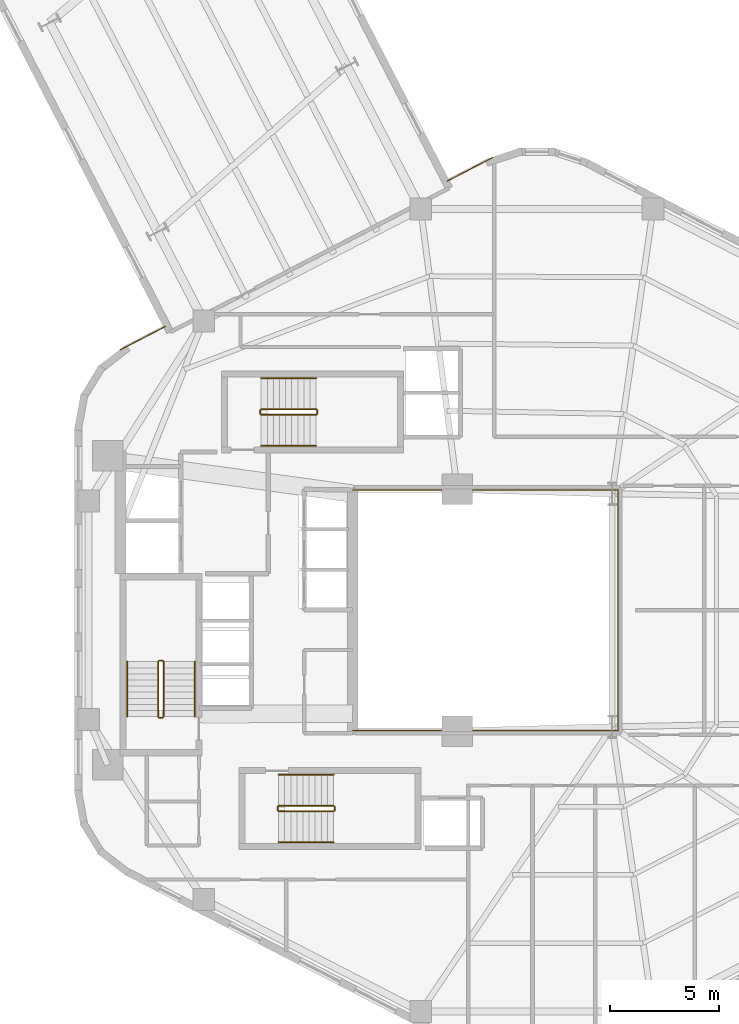
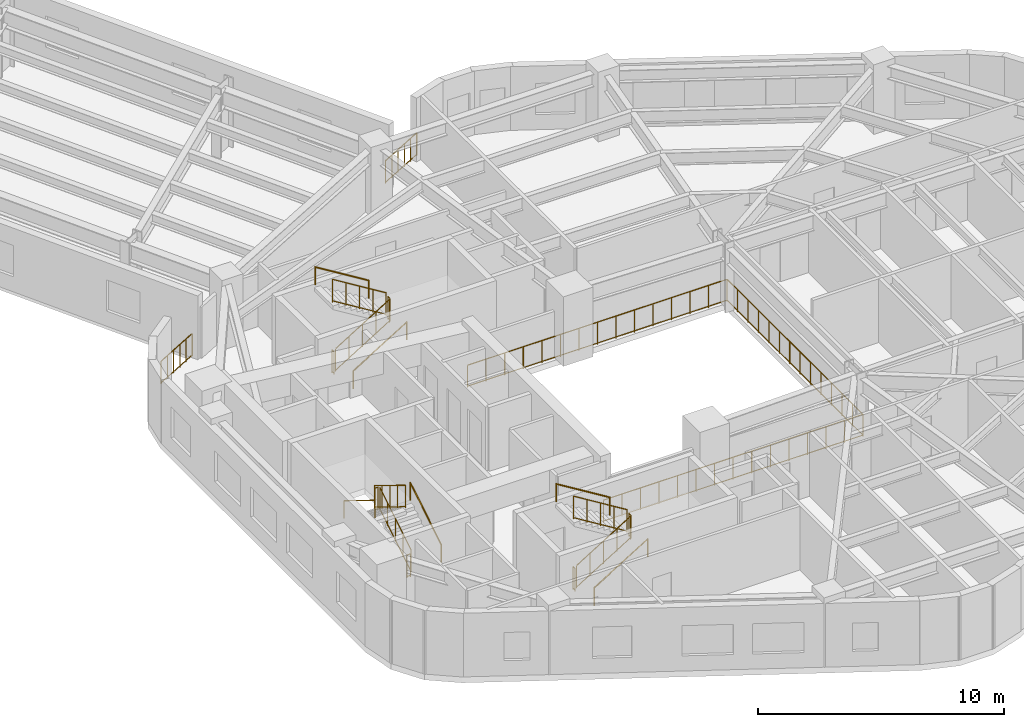
# One storey, part 11 of 11: 21 railings.
"""IFC4 building model written with IfcOpenShell, lengths in metres."""

from ifc_helpers import new_model, si_unit, direction, frame, origin, origin_2d, place, context, subcontext, project, spatial, circle, extrude, material, type_object, element, save


model = new_model("IFC4")

# Units and contexts
model_context = context("Model", 3, precision=1e-05, world=origin(), true_north=direction((0.0, 1.0)))
body_context = subcontext(model_context, "Body", "Model", "MODEL_VIEW")
ifc_project = project(units=[si_unit("LENGTHUNIT", "METRE"), si_unit("AREAUNIT", "SQUARE_METRE"), si_unit("VOLUMEUNIT", "CUBIC_METRE"), si_unit("PLANEANGLEUNIT", "RADIAN"), si_unit("MASSUNIT", "GRAM", prefix="KILO"), si_unit("THERMODYNAMICTEMPERATUREUNIT", "KELVIN"), si_unit("POWERUNIT", "WATT")], contexts=[model_context])

# Site, building, storey
site_placement = place(None, origin())
site = spatial("IfcSite", under=ifc_project, at=site_placement, CompositionType="ELEMENT")
building_placement = place(site_placement, origin())
building = spatial("IfcBuilding", under=site, at=building_placement, Name="Skarre Station Tower", CompositionType="ELEMENT")
storey_placement = place(building_placement, frame((0.0, 0.0, 139.5)))
storey = spatial("IfcBuildingStorey", under=building, at=storey_placement, Name="L37", CompositionType="ELEMENT", Elevation=139.5)

# Railings
ifc_material_1 = material(Name="Bronze Anodized Steel & Laminated Glass Balustrade", Category="steel")
railing_type_1 = type_object("IfcRailingType", Name="Atrium Void & Mezzanine Guard Balustrade 1120", PredefinedType="GUARDRAIL", material=ifc_material_1)
railing_1_placement = place(storey_placement, frame((27.550048828125, 18.47998046875, 0.0)))
element("IfcRailing", 1, at=railing_1_placement, inside=storey, type_object=railing_type_1, Name="L37 Atrium Void Guard Balustrade", PredefinedType="GUARDRAIL", context=body_context, shape_type="SweptSolid", body=[
    extrude(circle(Radius=0.02392578125, at=origin_2d()), frame((0.0, 0.0, 1.09619140625), z_axis=(1.0, 0.0, 0.0), x_axis=(0.0, 1.0, 0.0)), (0.0, 0.0, 1.0), 12.169921875),
    extrude(circle(Radius=0.02099609375, at=origin_2d()), frame((0.0, 0.0, 0.06005859375), z_axis=(1.0, 0.0, 0.0), x_axis=(0.0, 1.0, 0.0)), (0.0, 0.0, 1.0), 12.169921875),
    extrude(circle(Radius=0.02392578125, at=origin_2d()), frame((12.169921875, 0.0, 1.09619140625), z_axis=(0.0, 1.0, 0.0), x_axis=(-1.0, 0.0, 0.0)), (0.0, 0.0, 1.0), 11.0400390625),
    extrude(circle(Radius=0.02099609375, at=origin_2d()), frame((12.169921875, 0.0, 0.06005859375), z_axis=(0.0, 1.0, 0.0), x_axis=(-1.0, 0.0, 0.0)), (0.0, 0.0, 1.0), 11.0400390625),
    extrude(circle(Radius=0.02392578125, at=origin_2d()), frame((12.169921875, 11.0400390625, 1.09619140625), z_axis=(-1.0, 0.0, 0.0), x_axis=(0.0, -1.0, 0.0)), (0.0, 0.0, 1.0), 12.169921875),
    extrude(circle(Radius=0.02099609375, at=origin_2d()), frame((12.169921875, 11.0400390625, 0.06005859375), z_axis=(-1.0, 0.0, 0.0), x_axis=(0.0, -1.0, 0.0)), (0.0, 0.0, 1.0), 12.169921875),
    extrude(circle(Radius=0.02099609375, at=origin_2d()), origin(), (0.0, 0.0, 1.0), 1.072021484375),
    extrude(circle(Radius=0.02099609375, at=origin_2d()), frame((0.869384765625, 0.0, 0.0)), (0.0, 0.0, 1.0), 1.072021484375),
    extrude(circle(Radius=0.02099609375, at=origin_2d()), frame((1.738525390625, 0.0, 0.0)), (0.0, 0.0, 1.0), 1.072021484375),
    extrude(circle(Radius=0.02099609375, at=origin_2d()), frame((2.60791015625, 0.0, 0.0)), (0.0, 0.0, 1.0), 1.072021484375),
    extrude(circle(Radius=0.02099609375, at=origin_2d()), frame((3.47705078125, 0.0, 0.0)), (0.0, 0.0, 1.0), 1.072021484375),
    extrude(circle(Radius=0.02099609375, at=origin_2d()), frame((4.346435546875, 0.0, 0.0)), (0.0, 0.0, 1.0), 1.072021484375),
    extrude(circle(Radius=0.02099609375, at=origin_2d()), frame((5.215576171875, 0.0, 0.0)), (0.0, 0.0, 1.0), 1.072021484375),
    extrude(circle(Radius=0.02099609375, at=origin_2d()), frame((6.0849609375, 0.0, 0.0)), (0.0, 0.0, 1.0), 1.072021484375),
    extrude(circle(Radius=0.02099609375, at=origin_2d()), frame((6.954345703125, 0.0, 0.0)), (0.0, 0.0, 1.0), 1.072021484375),
    extrude(circle(Radius=0.02099609375, at=origin_2d()), frame((7.823486328125, 0.0, 0.0)), (0.0, 0.0, 1.0), 1.072021484375),
    extrude(circle(Radius=0.02099609375, at=origin_2d()), frame((8.69287109375, 0.0, 0.0)), (0.0, 0.0, 1.0), 1.072021484375),
    extrude(circle(Radius=0.02099609375, at=origin_2d()), frame((9.56201171875, 0.0, 0.0)), (0.0, 0.0, 1.0), 1.072021484375),
    extrude(circle(Radius=0.02099609375, at=origin_2d()), frame((10.431396484375, 0.0, 0.0)), (0.0, 0.0, 1.0), 1.072021484375),
    extrude(circle(Radius=0.02099609375, at=origin_2d()), frame((11.300537109375, 0.0, 0.0)), (0.0, 0.0, 1.0), 1.072021484375),
    extrude(circle(Radius=0.02099609375, at=origin_2d()), frame((12.169921875, 0.0, 0.0)), (0.0, 0.0, 1.0), 1.072021484375),
    extrude(circle(Radius=0.02099609375, at=origin_2d()), frame((12.169921875, 0.84912109375, 0.0)), (0.0, 0.0, 1.0), 1.072021484375),
    extrude(circle(Radius=0.02099609375, at=origin_2d()), frame((12.169921875, 1.698486328125, 0.0)), (0.0, 0.0, 1.0), 1.072021484375),
    extrude(circle(Radius=0.02099609375, at=origin_2d()), frame((12.169921875, 2.547607421875, 0.0)), (0.0, 0.0, 1.0), 1.072021484375),
    extrude(circle(Radius=0.02099609375, at=origin_2d()), frame((12.169921875, 3.39697265625, 0.0)), (0.0, 0.0, 1.0), 1.072021484375),
    extrude(circle(Radius=0.02099609375, at=origin_2d()), frame((12.169921875, 4.24609375, 0.0)), (0.0, 0.0, 1.0), 1.072021484375),
    extrude(circle(Radius=0.02099609375, at=origin_2d()), frame((12.169921875, 5.095458984375, 0.0)), (0.0, 0.0, 1.0), 1.072021484375),
    extrude(circle(Radius=0.02099609375, at=origin_2d()), frame((12.169921875, 5.944580078125, 0.0)), (0.0, 0.0, 1.0), 1.072021484375),
    extrude(circle(Radius=0.02099609375, at=origin_2d()), frame((12.169921875, 6.7939453125, 0.0)), (0.0, 0.0, 1.0), 1.072021484375),
    extrude(circle(Radius=0.02099609375, at=origin_2d()), frame((12.169921875, 7.64306640625, 0.0)), (0.0, 0.0, 1.0), 1.072021484375),
    extrude(circle(Radius=0.02099609375, at=origin_2d()), frame((12.169921875, 8.492431640625, 0.0)), (0.0, 0.0, 1.0), 1.072021484375),
    extrude(circle(Radius=0.02099609375, at=origin_2d()), frame((12.169921875, 9.341552734375, 0.0)), (0.0, 0.0, 1.0), 1.072021484375),
    extrude(circle(Radius=0.02099609375, at=origin_2d()), frame((12.169921875, 10.19091796875, 0.0)), (0.0, 0.0, 1.0), 1.072021484375),
    extrude(circle(Radius=0.02099609375, at=origin_2d()), frame((12.169921875, 11.0400390625, 0.0)), (0.0, 0.0, 1.0), 1.072021484375),
    extrude(circle(Radius=0.02099609375, at=origin_2d()), frame((11.300537109375, 11.0400390625, 0.0)), (0.0, 0.0, 1.0), 1.072021484375),
    extrude(circle(Radius=0.02099609375, at=origin_2d()), frame((10.431396484375, 11.0400390625, 0.0)), (0.0, 0.0, 1.0), 1.072021484375),
    extrude(circle(Radius=0.02099609375, at=origin_2d()), frame((9.56201171875, 11.0400390625, 0.0)), (0.0, 0.0, 1.0), 1.072021484375),
    extrude(circle(Radius=0.02099609375, at=origin_2d()), frame((8.69287109375, 11.0400390625, 0.0)), (0.0, 0.0, 1.0), 1.072021484375),
    extrude(circle(Radius=0.02099609375, at=origin_2d()), frame((7.823486328125, 11.0400390625, 0.0)), (0.0, 0.0, 1.0), 1.072021484375),
    extrude(circle(Radius=0.02099609375, at=origin_2d()), frame((6.954345703125, 11.0400390625, 0.0)), (0.0, 0.0, 1.0), 1.072021484375),
    extrude(circle(Radius=0.02099609375, at=origin_2d()), frame((6.0849609375, 11.0400390625, 0.0)), (0.0, 0.0, 1.0), 1.072021484375),
    extrude(circle(Radius=0.02099609375, at=origin_2d()), frame((5.215576171875, 11.0400390625, 0.0)), (0.0, 0.0, 1.0), 1.072021484375),
    extrude(circle(Radius=0.02099609375, at=origin_2d()), frame((4.346435546875, 11.0400390625, 0.0)), (0.0, 0.0, 1.0), 1.072021484375),
    extrude(circle(Radius=0.02099609375, at=origin_2d()), frame((3.47705078125, 11.0400390625, 0.0)), (0.0, 0.0, 1.0), 1.072021484375),
    extrude(circle(Radius=0.02099609375, at=origin_2d()), frame((2.60791015625, 11.0400390625, 0.0)), (0.0, 0.0, 1.0), 1.072021484375),
    extrude(circle(Radius=0.02099609375, at=origin_2d()), frame((1.738525390625, 11.0400390625, 0.0)), (0.0, 0.0, 1.0), 1.072021484375),
    extrude(circle(Radius=0.02099609375, at=origin_2d()), frame((0.869384765625, 11.0400390625, 0.0)), (0.0, 0.0, 1.0), 1.072021484375),
    extrude(circle(Radius=0.02099609375, at=origin_2d()), frame((0.0, 11.0400390625, 0.0)), (0.0, 0.0, 1.0), 1.072021484375),
])
ifc_material_2 = material(Name="Stainless Steel Grade 316L & Laminated Safety Glass", Category="steel")
railing_type_2 = type_object("IfcRailingType", Name="Laminated Glass & Stainless Terrace Guardrail 1150", PredefinedType="BALUSTRADE", material=ifc_material_2)
railing_2_placement = place(storey_placement, frame((16.87890625, 35.952880859375, 0.0)))
element("IfcRailing", 2, at=railing_2_placement, inside=storey, type_object=railing_type_2, Name="L37 SB-3 Shoulder Ledge Guardrail 1", PredefinedType="BALUSTRADE", context=body_context, shape_type="SweptSolid", body=[
    extrude(circle(Radius=0.02392578125, at=origin_2d()), frame((0.0, 0.0, 1.1259765625), z_axis=(0.888522104904, 0.458833814248, 0.0), x_axis=(-0.458833814248, 0.888522104904, 0.0)), (0.0, 0.0, 1.0), 2.345458984375),
    extrude(circle(Radius=0.02099609375, at=origin_2d()), frame((0.0, 0.0, 0.06005859375), z_axis=(0.888522104904, 0.458833814248, 0.0), x_axis=(-0.458833814248, 0.888522104904, 0.0)), (0.0, 0.0, 1.0), 2.345458984375),
    extrude(circle(Radius=0.02099609375, at=origin_2d()), origin(), (0.0, 0.0, 1.0), 1.101806640625),
    extrude(circle(Radius=0.02099609375, at=origin_2d()), frame((0.416748046875, 0.21533203125, 0.0)), (0.0, 0.0, 1.0), 1.101806640625),
    extrude(circle(Radius=0.02099609375, at=origin_2d()), frame((0.83349609375, 0.430419921875, 0.0)), (0.0, 0.0, 1.0), 1.101806640625),
    extrude(circle(Radius=0.02099609375, at=origin_2d()), frame((1.25048828125, 0.645751953125, 0.0)), (0.0, 0.0, 1.0), 1.101806640625),
    extrude(circle(Radius=0.02099609375, at=origin_2d()), frame((1.667236328125, 0.86083984375, 0.0)), (0.0, 0.0, 1.0), 1.101806640625),
    extrude(circle(Radius=0.02099609375, at=origin_2d()), frame((2.083984375, 1.076171875, 0.0)), (0.0, 0.0, 1.0), 1.101806640625),
])
railing_3_placement = place(storey_placement, frame((31.883056640625, 43.697021484375, 0.0)))
element("IfcRailing", 3, at=railing_3_placement, inside=storey, type_object=railing_type_2, Name="L37 SB-3 Shoulder Ledge Guardrail 2", PredefinedType="BALUSTRADE", context=body_context, shape_type="SweptSolid", body=[
    extrude(circle(Radius=0.02392578125, at=origin_2d()), frame((0.0, 0.0, 1.1259765625), z_axis=(0.888564539427, 0.458751631356, 0.0), x_axis=(-0.458751631356, 0.888564539427, 0.0)), (0.0, 0.0, 1.0), 2.345458984375),
    extrude(circle(Radius=0.02099609375, at=origin_2d()), frame((0.0, 0.0, 0.06005859375), z_axis=(0.888564539427, 0.458751631356, 0.0), x_axis=(-0.458751631356, 0.888564539427, 0.0)), (0.0, 0.0, 1.0), 2.345458984375),
    extrude(circle(Radius=0.02099609375, at=origin_2d()), origin(), (0.0, 0.0, 1.0), 1.101806640625),
    extrude(circle(Radius=0.02099609375, at=origin_2d()), frame((0.416748046875, 0.215087890625, 0.0)), (0.0, 0.0, 1.0), 1.101806640625),
    extrude(circle(Radius=0.02099609375, at=origin_2d()), frame((0.83349609375, 0.430419921875, 0.0)), (0.0, 0.0, 1.0), 1.101806640625),
    extrude(circle(Radius=0.02099609375, at=origin_2d()), frame((1.25048828125, 0.6455078125, 0.0)), (0.0, 0.0, 1.0), 1.101806640625),
    extrude(circle(Radius=0.02099609375, at=origin_2d()), frame((1.667236328125, 0.86083984375, 0.0)), (0.0, 0.0, 1.0), 1.101806640625),
    extrude(circle(Radius=0.02099609375, at=origin_2d()), frame((2.083984375, 1.075927734375, 0.0)), (0.0, 0.0, 1.0), 1.101806640625),
])
ifc_material_3 = material(Name="Powder-Coated Tubular Steel", Category="steel")
railing_type_3 = type_object("IfcRailingType", Name="Painted Steel Ramp & Stair Handrail 920", PredefinedType="HANDRAIL", material=ifc_material_3)
railing_4_placement = place(storey_placement, frame((20.300048828125, 19.1201171875, 0.172607421875)))
element("IfcRailing", 4, at=railing_4_placement, inside=storey, type_object=railing_type_3, Name="L37 ST-1 stair handrail 1", PredefinedType="HANDRAIL", context=body_context, shape_type="SweptSolid", body=[
    extrude(circle(Radius=0.02392578125, at=origin_2d()), frame((0.0, 0.0, 0.8759765625), z_axis=(0.0, 0.851377800117, 0.52455299205), x_axis=(-1.0, 0.0, 0.0)), (0.0, 0.0, 1.0), 2.959716796875),
    extrude(circle(Radius=0.02099609375, at=origin_2d()), origin(), (0.0, 0.0, 1.0), 0.851806640625),
    extrude(circle(Radius=0.02099609375, at=origin_2d()), frame((0.0, 2.519775390625, 1.552490234375)), (0.0, 0.0, 1.0), 0.851806640625),
])
railing_5_placement = place(storey_placement, frame((17.199951171875, 21.639892578125, 1.8974609375)))
element("IfcRailing", 5, at=railing_5_placement, inside=storey, type_object=railing_type_3, Name="L37 ST-1 stair handrail 2", PredefinedType="HANDRAIL", context=body_context, shape_type="SweptSolid", body=[
    extrude(circle(Radius=0.02392578125, at=origin_2d()), frame((0.0, 0.0, 0.8759765625), z_axis=(0.0, -0.851377800117, 0.52455299205), x_axis=(1.0, 0.0, 0.0)), (0.0, 0.0, 1.0), 2.959716796875),
    extrude(circle(Radius=0.02099609375, at=origin_2d()), origin(), (0.0, 0.0, 1.0), 0.851806640625),
    extrude(circle(Radius=0.02099609375, at=origin_2d()), frame((0.0, -2.519775390625, 1.552490234375)), (0.0, 0.0, 1.0), 0.851806640625),
])
railing_6_placement = place(storey_placement, frame((24.14990234375, 13.35009765625, 0.172607421875)))
element("IfcRailing", 6, at=railing_6_placement, inside=storey, type_object=railing_type_3, Name="L37 ST-2 stair handrail 1", PredefinedType="HANDRAIL", context=body_context, shape_type="SweptSolid", body=[
    extrude(circle(Radius=0.02392578125, at=origin_2d()), frame((0.0, 0.0, 0.8759765625), z_axis=(0.851400495292, 0.0, 0.524516154772), x_axis=(0.0, 1.0, 0.0)), (0.0, 0.0, 1.0), 2.9599609375),
    extrude(circle(Radius=0.02099609375, at=origin_2d()), origin(), (0.0, 0.0, 1.0), 0.851806640625),
    extrude(circle(Radius=0.02099609375, at=origin_2d()), frame((2.52001953125, 0.0, 1.552490234375)), (0.0, 0.0, 1.0), 0.851806640625),
])
railing_7_placement = place(storey_placement, frame((26.669921875, 16.449951171875, 1.8974609375)))
element("IfcRailing", 7, at=railing_7_placement, inside=storey, type_object=railing_type_3, Name="L37 ST-2 stair handrail 2", PredefinedType="HANDRAIL", context=body_context, shape_type="SweptSolid", body=[
    extrude(circle(Radius=0.02392578125, at=origin_2d()), frame((0.0, 0.0, 0.8759765625), z_axis=(-0.851400495292, 0.0, 0.524516154772), x_axis=(0.0, -1.0, 0.0)), (0.0, 0.0, 1.0), 2.9599609375),
    extrude(circle(Radius=0.02099609375, at=origin_2d()), origin(), (0.0, 0.0, 1.0), 0.851806640625),
    extrude(circle(Radius=0.02099609375, at=origin_2d()), frame((-2.52001953125, 0.0, 1.552490234375)), (0.0, 0.0, 1.0), 0.851806640625),
])
railing_8_placement = place(storey_placement, frame((23.35009765625, 31.550048828125, 0.172607421875)))
element("IfcRailing", 8, at=railing_8_placement, inside=storey, type_object=railing_type_3, Name="L37 ST-3 stair handrail 1", PredefinedType="HANDRAIL", context=body_context, shape_type="SweptSolid", body=[
    extrude(circle(Radius=0.02392578125, at=origin_2d()), frame((0.0, 0.0, 0.8759765625), z_axis=(0.851400495292, 0.0, 0.524516154772), x_axis=(0.0, 1.0, 0.0)), (0.0, 0.0, 1.0), 2.9599609375),
    extrude(circle(Radius=0.02099609375, at=origin_2d()), origin(), (0.0, 0.0, 1.0), 0.851806640625),
    extrude(circle(Radius=0.02099609375, at=origin_2d()), frame((2.52001953125, 0.0, 1.552490234375)), (0.0, 0.0, 1.0), 0.851806640625),
])
railing_9_placement = place(storey_placement, frame((25.8701171875, 34.64990234375, 1.8974609375)))
element("IfcRailing", 9, at=railing_9_placement, inside=storey, type_object=railing_type_3, Name="L37 ST-3 stair handrail 2", PredefinedType="HANDRAIL", context=body_context, shape_type="SweptSolid", body=[
    extrude(circle(Radius=0.02392578125, at=origin_2d()), frame((0.0, 0.0, 0.8759765625), z_axis=(-0.851400495292, 0.0, 0.524516154772), x_axis=(0.0, -1.0, 0.0)), (0.0, 0.0, 1.0), 2.9599609375),
    extrude(circle(Radius=0.02099609375, at=origin_2d()), origin(), (0.0, 0.0, 1.0), 0.851806640625),
    extrude(circle(Radius=0.02099609375, at=origin_2d()), frame((-2.52001953125, 0.0, 1.552490234375)), (0.0, 0.0, 1.0), 0.851806640625),
])
railing_type_4 = type_object("IfcRailingType", Name="Painted Steel Stairwell Guardrail 1100", PredefinedType="GUARDRAIL", material=ifc_material_3)
railing_10_placement = place(storey_placement, frame((18.8798828125, 19.1201171875, 0.172607421875)))
element("IfcRailing", 10, at=railing_10_placement, inside=storey, type_object=railing_type_4, Name="L37 ST-1 stair guard 1", PredefinedType="GUARDRAIL", context=body_context, shape_type="SweptSolid", body=[
    extrude(circle(Radius=0.02392578125, at=origin_2d()), frame((0.0, 0.0, 1.1259765625), z_axis=(0.0, 0.851377800117, 0.52455299205), x_axis=(-1.0, 0.0, 0.0)), (0.0, 0.0, 1.0), 2.959716796875),
    extrude(circle(Radius=0.02099609375, at=origin_2d()), frame((0.0, 0.0, 0.06005859375), z_axis=(0.0, 0.851377800117, 0.52455299205), x_axis=(-1.0, 0.0, 0.0)), (0.0, 0.0, 1.0), 2.959716796875),
    extrude(circle(Radius=0.02099609375, at=origin_2d()), origin(), (0.0, 0.0, 1.0), 1.101806640625),
    extrude(circle(Radius=0.02099609375, at=origin_2d()), frame((0.0, 0.6298828125, 0.38818359375)), (0.0, 0.0, 1.0), 1.101806640625),
    extrude(circle(Radius=0.02099609375, at=origin_2d()), frame((0.0, 1.259765625, 0.7763671875)), (0.0, 0.0, 1.0), 1.101806640625),
    extrude(circle(Radius=0.02099609375, at=origin_2d()), frame((0.0, 1.889892578125, 1.164306640625)), (0.0, 0.0, 1.0), 1.101806640625),
    extrude(circle(Radius=0.02099609375, at=origin_2d()), frame((0.0, 2.519775390625, 1.552490234375)), (0.0, 0.0, 1.0), 1.101806640625),
])
railing_11_placement = place(storey_placement, frame((18.830078125, 21.68994140625, 1.72509765625)))
element("IfcRailing", 11, at=railing_11_placement, inside=storey, type_object=railing_type_4, Name="L37 ST-1 stair guard 2", PredefinedType="GUARDRAIL", context=body_context, shape_type="SweptSolid", body=[
    extrude(circle(Radius=0.02392578125, at=origin_2d()), frame((0.0, 0.0, 1.1259765625), z_axis=(-1.0, 0.0, 0.0), x_axis=(0.0, -1.0, 0.0)), (0.0, 0.0, 1.0), 0.16015625),
    extrude(circle(Radius=0.02099609375, at=origin_2d()), frame((0.0, 0.0, 0.06005859375), z_axis=(-1.0, 0.0, 0.0), x_axis=(0.0, -1.0, 0.0)), (0.0, 0.0, 1.0), 0.16015625),
    extrude(circle(Radius=0.02099609375, at=origin_2d()), origin(), (0.0, 0.0, 1.0), 1.101806640625),
    extrude(circle(Radius=0.02099609375, at=origin_2d()), frame((-0.16015625, 0.0, 0.0)), (0.0, 0.0, 1.0), 1.101806640625),
])
railing_12_placement = place(storey_placement, frame((18.6201171875, 21.639892578125, 1.8974609375)))
element("IfcRailing", 12, at=railing_12_placement, inside=storey, type_object=railing_type_4, Name="L37 ST-1 stair guard 3", PredefinedType="GUARDRAIL", context=body_context, shape_type="SweptSolid", body=[
    extrude(circle(Radius=0.02392578125, at=origin_2d()), frame((0.0, 0.0, 1.1259765625), z_axis=(0.0, -0.851377800117, 0.52455299205), x_axis=(1.0, 0.0, 0.0)), (0.0, 0.0, 1.0), 2.959716796875),
    extrude(circle(Radius=0.02099609375, at=origin_2d()), frame((0.0, 0.0, 0.06005859375), z_axis=(0.0, -0.851377800117, 0.52455299205), x_axis=(1.0, 0.0, 0.0)), (0.0, 0.0, 1.0), 2.959716796875),
    extrude(circle(Radius=0.02099609375, at=origin_2d()), origin(), (0.0, 0.0, 1.0), 1.101806640625),
    extrude(circle(Radius=0.02099609375, at=origin_2d()), frame((0.0, -0.6298828125, 0.38818359375)), (0.0, 0.0, 1.0), 1.101806640625),
    extrude(circle(Radius=0.02099609375, at=origin_2d()), frame((0.0, -1.259765625, 0.7763671875)), (0.0, 0.0, 1.0), 1.101806640625),
    extrude(circle(Radius=0.02099609375, at=origin_2d()), frame((0.0, -1.889892578125, 1.164306640625)), (0.0, 0.0, 1.0), 1.101806640625),
    extrude(circle(Radius=0.02099609375, at=origin_2d()), frame((0.0, -2.519775390625, 1.552490234375)), (0.0, 0.0, 1.0), 1.101806640625),
])
railing_13_placement = place(storey_placement, frame((18.830078125, 19.070068359375, 0.0)))
element("IfcRailing", 13, at=railing_13_placement, inside=storey, type_object=railing_type_4, Name="L37 ST-1 stair guard 4", PredefinedType="GUARDRAIL", context=body_context, shape_type="SweptSolid", body=[
    extrude(circle(Radius=0.02392578125, at=origin_2d()), frame((0.0, 0.0, 1.1259765625), z_axis=(-1.0, 0.0, 0.0), x_axis=(0.0, -1.0, 0.0)), (0.0, 0.0, 1.0), 0.16015625),
    extrude(circle(Radius=0.02099609375, at=origin_2d()), frame((0.0, 0.0, 0.06005859375), z_axis=(-1.0, 0.0, 0.0), x_axis=(0.0, -1.0, 0.0)), (0.0, 0.0, 1.0), 0.16015625),
    extrude(circle(Radius=0.02099609375, at=origin_2d()), origin(), (0.0, 0.0, 1.0), 1.101806640625),
    extrude(circle(Radius=0.02099609375, at=origin_2d()), frame((-0.16015625, 0.0, 0.0)), (0.0, 0.0, 1.0), 1.101806640625),
])
railing_14_placement = place(storey_placement, frame((24.14990234375, 14.77001953125, 0.172607421875)))
element("IfcRailing", 14, at=railing_14_placement, inside=storey, type_object=railing_type_4, Name="L37 ST-2 stair guard 1", PredefinedType="GUARDRAIL", context=body_context, shape_type="SweptSolid", body=[
    extrude(circle(Radius=0.02392578125, at=origin_2d()), frame((0.0, 0.0, 1.1259765625), z_axis=(0.851400495292, 0.0, 0.524516154772), x_axis=(0.0, 1.0, 0.0)), (0.0, 0.0, 1.0), 2.9599609375),
    extrude(circle(Radius=0.02099609375, at=origin_2d()), frame((0.0, 0.0, 0.06005859375), z_axis=(0.851400495292, 0.0, 0.524516154772), x_axis=(0.0, 1.0, 0.0)), (0.0, 0.0, 1.0), 2.9599609375),
    extrude(circle(Radius=0.02099609375, at=origin_2d()), origin(), (0.0, 0.0, 1.0), 1.101806640625),
    extrude(circle(Radius=0.02099609375, at=origin_2d()), frame((0.6298828125, 0.0, 0.38818359375)), (0.0, 0.0, 1.0), 1.101806640625),
    extrude(circle(Radius=0.02099609375, at=origin_2d()), frame((1.260009765625, 0.0, 0.7763671875)), (0.0, 0.0, 1.0), 1.101806640625),
    extrude(circle(Radius=0.02099609375, at=origin_2d()), frame((1.89013671875, 0.0, 1.164306640625)), (0.0, 0.0, 1.0), 1.101806640625),
    extrude(circle(Radius=0.02099609375, at=origin_2d()), frame((2.52001953125, 0.0, 1.552490234375)), (0.0, 0.0, 1.0), 1.101806640625),
])
railing_15_placement = place(storey_placement, frame((26.719970703125, 14.820068359375, 1.72509765625)))
element("IfcRailing", 15, at=railing_15_placement, inside=storey, type_object=railing_type_4, Name="L37 ST-2 stair guard 2", PredefinedType="GUARDRAIL", context=body_context, shape_type="SweptSolid", body=[
    extrude(circle(Radius=0.02392578125, at=origin_2d()), frame((0.0, 0.0, 1.1259765625), z_axis=(0.0, 1.0, 0.0), x_axis=(-1.0, 0.0, 0.0)), (0.0, 0.0, 1.0), 0.159912109375),
    extrude(circle(Radius=0.02099609375, at=origin_2d()), frame((0.0, 0.0, 0.06005859375), z_axis=(0.0, 1.0, 0.0), x_axis=(-1.0, 0.0, 0.0)), (0.0, 0.0, 1.0), 0.159912109375),
    extrude(circle(Radius=0.02099609375, at=origin_2d()), origin(), (0.0, 0.0, 1.0), 1.101806640625),
    extrude(circle(Radius=0.02099609375, at=origin_2d()), frame((0.0, 0.159912109375, 0.0)), (0.0, 0.0, 1.0), 1.101806640625),
])
railing_16_placement = place(storey_placement, frame((26.669921875, 15.030029296875, 1.8974609375)))
element("IfcRailing", 16, at=railing_16_placement, inside=storey, type_object=railing_type_4, Name="L37 ST-2 stair guard 3", PredefinedType="GUARDRAIL", context=body_context, shape_type="SweptSolid", body=[
    extrude(circle(Radius=0.02392578125, at=origin_2d()), frame((0.0, 0.0, 1.1259765625), z_axis=(-0.851400495292, 0.0, 0.524516154772), x_axis=(0.0, -1.0, 0.0)), (0.0, 0.0, 1.0), 2.9599609375),
    extrude(circle(Radius=0.02099609375, at=origin_2d()), frame((0.0, 0.0, 0.06005859375), z_axis=(-0.851400495292, 0.0, 0.524516154772), x_axis=(0.0, -1.0, 0.0)), (0.0, 0.0, 1.0), 2.9599609375),
    extrude(circle(Radius=0.02099609375, at=origin_2d()), origin(), (0.0, 0.0, 1.0), 1.101806640625),
    extrude(circle(Radius=0.02099609375, at=origin_2d()), frame((-0.6298828125, 0.0, 0.38818359375)), (0.0, 0.0, 1.0), 1.101806640625),
    extrude(circle(Radius=0.02099609375, at=origin_2d()), frame((-1.260009765625, 0.0, 0.7763671875)), (0.0, 0.0, 1.0), 1.101806640625),
    extrude(circle(Radius=0.02099609375, at=origin_2d()), frame((-1.89013671875, 0.0, 1.164306640625)), (0.0, 0.0, 1.0), 1.101806640625),
    extrude(circle(Radius=0.02099609375, at=origin_2d()), frame((-2.52001953125, 0.0, 1.552490234375)), (0.0, 0.0, 1.0), 1.101806640625),
])
railing_17_placement = place(storey_placement, frame((24.10009765625, 14.820068359375, 0.0)))
element("IfcRailing", 17, at=railing_17_placement, inside=storey, type_object=railing_type_4, Name="L37 ST-2 stair guard 4", PredefinedType="GUARDRAIL", context=body_context, shape_type="SweptSolid", body=[
    extrude(circle(Radius=0.02392578125, at=origin_2d()), frame((0.0, 0.0, 1.1259765625), z_axis=(0.0, 1.0, 0.0), x_axis=(-1.0, 0.0, 0.0)), (0.0, 0.0, 1.0), 0.159912109375),
    extrude(circle(Radius=0.02099609375, at=origin_2d()), frame((0.0, 0.0, 0.06005859375), z_axis=(0.0, 1.0, 0.0), x_axis=(-1.0, 0.0, 0.0)), (0.0, 0.0, 1.0), 0.159912109375),
    extrude(circle(Radius=0.02099609375, at=origin_2d()), origin(), (0.0, 0.0, 1.0), 1.101806640625),
    extrude(circle(Radius=0.02099609375, at=origin_2d()), frame((0.0, 0.159912109375, 0.0)), (0.0, 0.0, 1.0), 1.101806640625),
])
railing_18_placement = place(storey_placement, frame((23.35009765625, 32.969970703125, 0.172607421875)))
element("IfcRailing", 18, at=railing_18_placement, inside=storey, type_object=railing_type_4, Name="L37 ST-3 stair guard 1", PredefinedType="GUARDRAIL", context=body_context, shape_type="SweptSolid", body=[
    extrude(circle(Radius=0.02392578125, at=origin_2d()), frame((0.0, 0.0, 1.1259765625), z_axis=(0.851400495292, 0.0, 0.524516154772), x_axis=(0.0, 1.0, 0.0)), (0.0, 0.0, 1.0), 2.9599609375),
    extrude(circle(Radius=0.02099609375, at=origin_2d()), frame((0.0, 0.0, 0.06005859375), z_axis=(0.851400495292, 0.0, 0.524516154772), x_axis=(0.0, 1.0, 0.0)), (0.0, 0.0, 1.0), 2.9599609375),
    extrude(circle(Radius=0.02099609375, at=origin_2d()), origin(), (0.0, 0.0, 1.0), 1.101806640625),
    extrude(circle(Radius=0.02099609375, at=origin_2d()), frame((0.6298828125, 0.0, 0.38818359375)), (0.0, 0.0, 1.0), 1.101806640625),
    extrude(circle(Radius=0.02099609375, at=origin_2d()), frame((1.260009765625, 0.0, 0.7763671875)), (0.0, 0.0, 1.0), 1.101806640625),
    extrude(circle(Radius=0.02099609375, at=origin_2d()), frame((1.89013671875, 0.0, 1.164306640625)), (0.0, 0.0, 1.0), 1.101806640625),
    extrude(circle(Radius=0.02099609375, at=origin_2d()), frame((2.52001953125, 0.0, 1.552490234375)), (0.0, 0.0, 1.0), 1.101806640625),
])
railing_19_placement = place(storey_placement, frame((25.919921875, 33.02001953125, 1.72509765625)))
element("IfcRailing", 19, at=railing_19_placement, inside=storey, type_object=railing_type_4, Name="L37 ST-3 stair guard 2", PredefinedType="GUARDRAIL", context=body_context, shape_type="SweptSolid", body=[
    extrude(circle(Radius=0.02392578125, at=origin_2d()), frame((0.0, 0.0, 1.1259765625), z_axis=(0.0, 1.0, 0.0), x_axis=(-1.0, 0.0, 0.0)), (0.0, 0.0, 1.0), 0.159912109375),
    extrude(circle(Radius=0.02099609375, at=origin_2d()), frame((0.0, 0.0, 0.06005859375), z_axis=(0.0, 1.0, 0.0), x_axis=(-1.0, 0.0, 0.0)), (0.0, 0.0, 1.0), 0.159912109375),
    extrude(circle(Radius=0.02099609375, at=origin_2d()), origin(), (0.0, 0.0, 1.0), 1.101806640625),
    extrude(circle(Radius=0.02099609375, at=origin_2d()), frame((0.0, 0.159912109375, 0.0)), (0.0, 0.0, 1.0), 1.101806640625),
])
railing_20_placement = place(storey_placement, frame((25.8701171875, 33.22998046875, 1.8974609375)))
element("IfcRailing", 20, at=railing_20_placement, inside=storey, type_object=railing_type_4, Name="L37 ST-3 stair guard 3", PredefinedType="GUARDRAIL", context=body_context, shape_type="SweptSolid", body=[
    extrude(circle(Radius=0.02392578125, at=origin_2d()), frame((0.0, 0.0, 1.1259765625), z_axis=(-0.851400495292, 0.0, 0.524516154772), x_axis=(0.0, -1.0, 0.0)), (0.0, 0.0, 1.0), 2.9599609375),
    extrude(circle(Radius=0.02099609375, at=origin_2d()), frame((0.0, 0.0, 0.06005859375), z_axis=(-0.851400495292, 0.0, 0.524516154772), x_axis=(0.0, -1.0, 0.0)), (0.0, 0.0, 1.0), 2.9599609375),
    extrude(circle(Radius=0.02099609375, at=origin_2d()), origin(), (0.0, 0.0, 1.0), 1.101806640625),
    extrude(circle(Radius=0.02099609375, at=origin_2d()), frame((-0.6298828125, 0.0, 0.38818359375)), (0.0, 0.0, 1.0), 1.101806640625),
    extrude(circle(Radius=0.02099609375, at=origin_2d()), frame((-1.260009765625, 0.0, 0.7763671875)), (0.0, 0.0, 1.0), 1.101806640625),
    extrude(circle(Radius=0.02099609375, at=origin_2d()), frame((-1.89013671875, 0.0, 1.164306640625)), (0.0, 0.0, 1.0), 1.101806640625),
    extrude(circle(Radius=0.02099609375, at=origin_2d()), frame((-2.52001953125, 0.0, 1.552490234375)), (0.0, 0.0, 1.0), 1.101806640625),
])
railing_21_placement = place(storey_placement, frame((23.300048828125, 33.02001953125, 0.0)))
element("IfcRailing", 21, at=railing_21_placement, inside=storey, type_object=railing_type_4, Name="L37 ST-3 stair guard 4", PredefinedType="GUARDRAIL", context=body_context, shape_type="SweptSolid", body=[
    extrude(circle(Radius=0.02392578125, at=origin_2d()), frame((0.0, 0.0, 1.1259765625), z_axis=(0.0, 1.0, 0.0), x_axis=(-1.0, 0.0, 0.0)), (0.0, 0.0, 1.0), 0.159912109375),
    extrude(circle(Radius=0.02099609375, at=origin_2d()), frame((0.0, 0.0, 0.06005859375), z_axis=(0.0, 1.0, 0.0), x_axis=(-1.0, 0.0, 0.0)), (0.0, 0.0, 1.0), 0.159912109375),
    extrude(circle(Radius=0.02099609375, at=origin_2d()), origin(), (0.0, 0.0, 1.0), 1.101806640625),
    extrude(circle(Radius=0.02099609375, at=origin_2d()), frame((0.0, 0.159912109375, 0.0)), (0.0, 0.0, 1.0), 1.101806640625),
])

save(model, "model.ifc")
